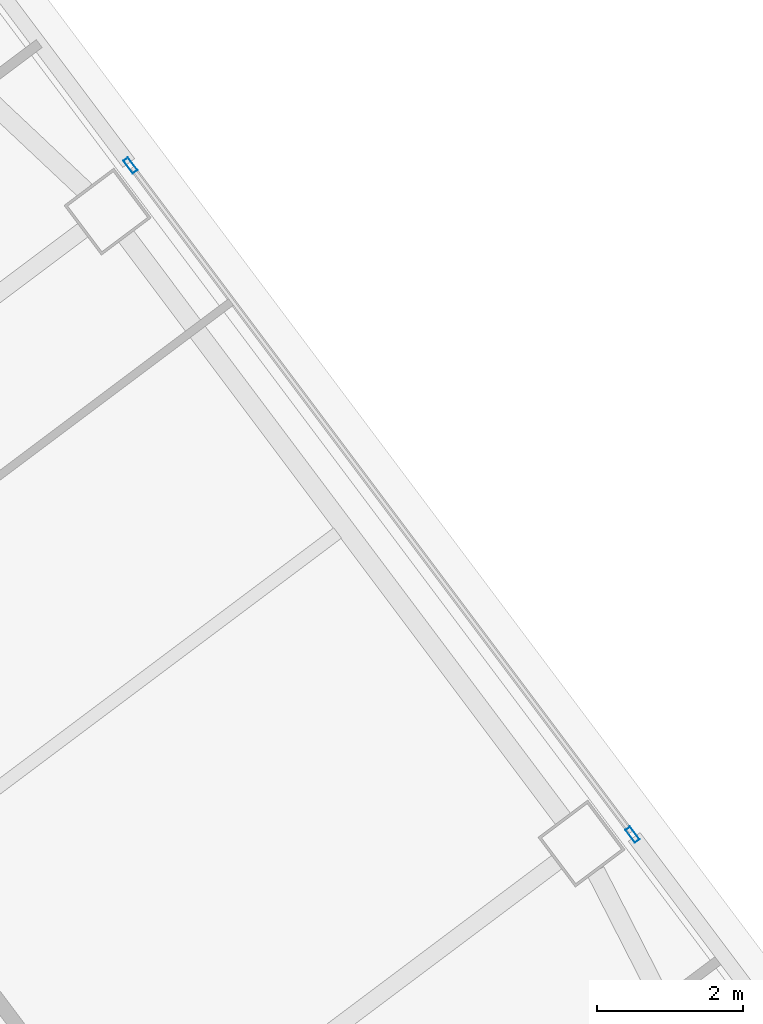
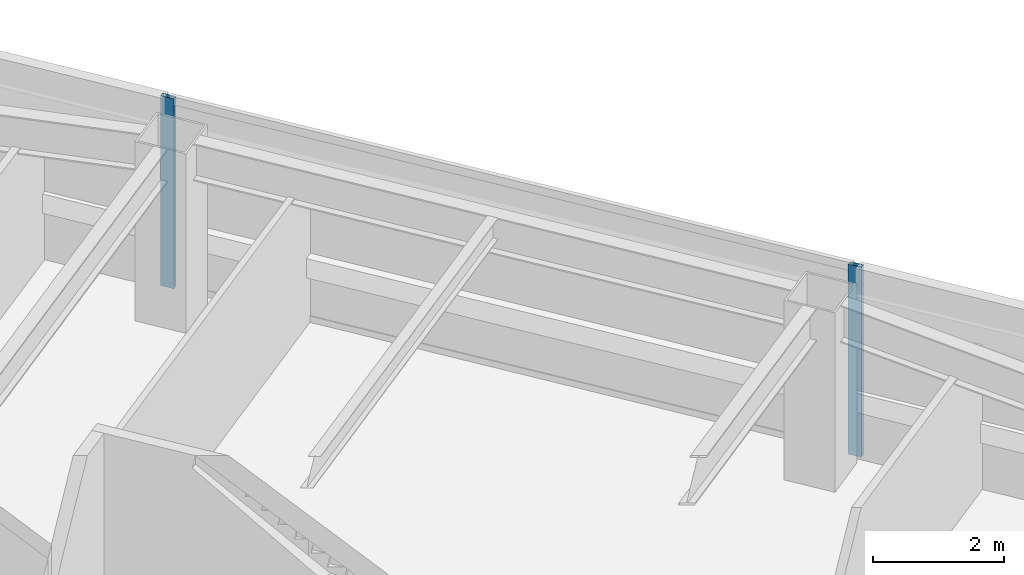
# One storey, part 33 of 47: 2 members, 1 element without a shape of its own.
"""IFC4 building model written with IfcOpenShell, lengths in metres."""

from ifc_helpers import new_model, si_unit, direction, frame, origin, origin_2d, place, context, subcontext, project, spatial, hollow_rectangle, extrude, material, material_profile, profile_set, type_object, element, aggregate, save


model = new_model("IFC4")

# Units and contexts
model_context = context("Model", 3, precision=1e-05, world=origin(), true_north=direction((0.0, 1.0)))
body_context = subcontext(model_context, "Body", "Model", "MODEL_VIEW")
ifc_project = project(units=[si_unit("LENGTHUNIT", "METRE"), si_unit("AREAUNIT", "SQUARE_METRE"), si_unit("VOLUMEUNIT", "CUBIC_METRE"), si_unit("PLANEANGLEUNIT", "RADIAN"), si_unit("MASSUNIT", "GRAM", prefix="KILO")], contexts=[model_context])

# Site, building, storey
site_placement = place(None, origin())
site = spatial("IfcSite", under=ifc_project, at=site_placement, CompositionType="ELEMENT")
building_placement = place(site_placement, origin())
building = spatial("IfcBuilding", under=site, at=building_placement, Name="Tashvorn Skyway Center", CompositionType="ELEMENT")
storey_placement = place(building_placement, frame((0.0, 0.0, 81.39990234375)))
storey = spatial("IfcBuildingStorey", under=building, at=storey_placement, Name="L21", CompositionType="ELEMENT", Elevation=81.39990234375)

# Curtain wall, members
ifc_material = material(Name="Thermally broken bronze-anodized aluminium 6063-T6", Category="aluminium")
curtain_wall_type = type_object("IfcCurtainWallType", Name="CW-CW-Z2", PredefinedType="NOTDEFINED", material=ifc_material)
curtain_wall_placement = place(storey_placement, origin())
curtain_wall = element("IfcCurtainWall", 1, at=curtain_wall_placement, inside=storey, type_object=curtain_wall_type, Name="Tower 2 L21 East Unitised Curtain Wall Glazing Group 2", PredefinedType="NOTDEFINED")
ifc_material_profile = material_profile(ifc_material, hollow_rectangle(XDim=0.080078125, YDim=0.219970703125, WallThickness=0.0048828125, at=origin_2d()), Name="ALU-MULL-80x220")
ifc_profile_set = profile_set([ifc_material_profile], Name="Thermally broken bronze-anodized aluminium 6063-T6")
member_type = type_object("IfcMemberType", Name="CWM-CW-Z2", PredefinedType="MULLION", material=ifc_profile_set)
member_1_placement = place(storey_placement, frame((126.471923828125, 48.50390625, 0.0), z_axis=(0.0, 0.0, 1.0), x_axis=(0.799999999998, 0.600000000002, 0.0)))
member_1 = element("IfcMember", 2, at=member_1_placement, type_object=member_type, Name="CW-Z2 mullion 1", PredefinedType="MULLION", context=body_context, shape_type="SweptSolid", body=[
    extrude(hollow_rectangle(XDim=0.080078125, YDim=0.219970703125, WallThickness=0.0048828125, at=origin_2d()), origin(), (0.0, 0.0, 1.0), 3.550048828125),
])
member_2_placement = place(storey_placement, frame((133.3359375, 39.35205078125, 0.0), z_axis=(0.0, 0.0, 1.0), x_axis=(0.799999999998, 0.600000000002, 0.0)))
member_2 = element("IfcMember", 3, at=member_2_placement, type_object=member_type, Name="CW-Z2 mullion 2", PredefinedType="MULLION", context=body_context, shape_type="SweptSolid", body=[
    extrude(hollow_rectangle(XDim=0.080078125, YDim=0.219970703125, WallThickness=0.0048828125, at=origin_2d()), origin(), (0.0, 0.0, 1.0), 3.550048828125),
])
aggregate(curtain_wall, [member_1, member_2])

save(model, "model.ifc")
